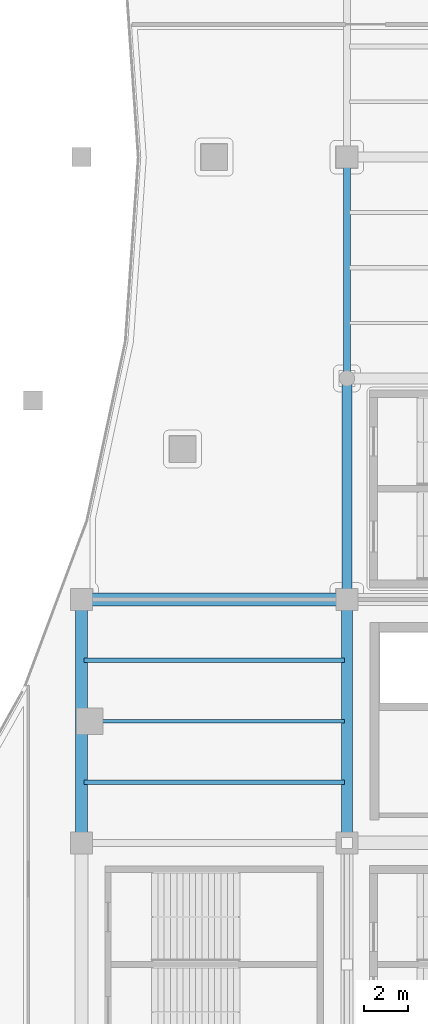
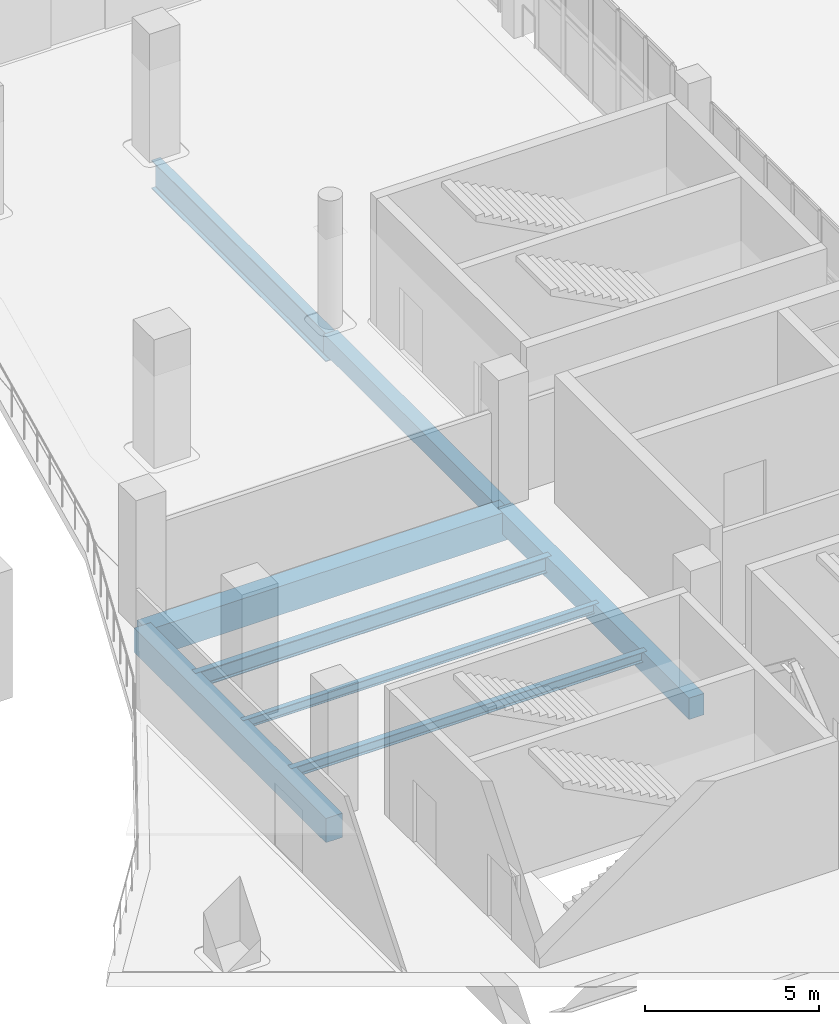
# One storey, part 51 of 108: 8 beams.
"""IFC4 building model written with IfcOpenShell, lengths in metres."""

from ifc_helpers import new_model, si_unit, direction, frame, origin, origin_2d, place, context, subcontext, project, spatial, rectangle, i_section, extrude, material, material_profile, profile_set, type_object, element, save


model = new_model("IFC4")

# Units and contexts
model_context = context("Model", 3, precision=1e-05, world=origin(), true_north=direction((0.0, 1.0)))
body_context = subcontext(model_context, "Body", "Model", "MODEL_VIEW")
ifc_project = project(units=[si_unit("LENGTHUNIT", "METRE"), si_unit("AREAUNIT", "SQUARE_METRE"), si_unit("VOLUMEUNIT", "CUBIC_METRE"), si_unit("PLANEANGLEUNIT", "RADIAN"), si_unit("MASSUNIT", "GRAM", prefix="KILO")], contexts=[model_context])

# Site, building, storey
site_placement = place(None, origin())
site = spatial("IfcSite", under=ifc_project, at=site_placement, CompositionType="ELEMENT")
building_placement = place(site_placement, origin())
building = spatial("IfcBuilding", under=site, at=building_placement, Name="Brinegate Civic Arena", CompositionType="ELEMENT")
storey_placement = place(building_placement, frame((0.0, 0.0, 10.199951171875)))
storey = spatial("IfcBuildingStorey", under=building, at=storey_placement, Name="L02", CompositionType="ELEMENT", Elevation=10.199951171875)

# Beams
ifc_material_1 = material(Name="Steel S355", Category="steel")
ifc_material_profile_1 = material_profile(ifc_material_1, i_section(OverallWidth=0.300048828125, OverallDepth=1.0, WebThickness=0.01904296875, FlangeThickness=0.031982421875, FilletRadius=0.02392578125, at=origin_2d()), Name="W1000X321")
ifc_profile_set_1 = profile_set([ifc_material_profile_1], Name="Steel S355")
beam_type_1 = type_object("IfcBeamType", Name="GIRDER-W1000X321", PredefinedType="BEAM", material=ifc_profile_set_1)
beam_1_placement = place(storey_placement, frame((156.0, 52.0, -0.829833984375), z_axis=(0.0, 1.0, 0.0), x_axis=(-1.0, 0.0, 0.0)))
element("IfcBeam", 1, at=beam_1_placement, inside=storey, type_object=beam_type_1, Name="Floor Girder BM-L02-GY-13-05", PredefinedType="BEAM", context=body_context, shape_type="SweptSolid", body=[
    extrude(i_section(OverallWidth=0.300048828125, OverallDepth=1.0, WebThickness=0.01904296875, FlangeThickness=0.031982421875, FilletRadius=0.02392578125, at=origin_2d()), origin(), (0.0, 0.0, 1.0), 10.0),
])
ifc_material_profile_2 = material_profile(ifc_material_1, i_section(OverallWidth=0.1669921875, OverallDepth=0.31689453125, WebThickness=0.008056640625, FlangeThickness=0.012939453125, FilletRadius=0.012939453125, at=origin_2d()), Name="W310X52")
ifc_profile_set_2 = profile_set([ifc_material_profile_2], Name="Steel S355")
beam_type_2 = type_object("IfcBeamType", Name="JOIST-W310X52", PredefinedType="JOIST", material=ifc_profile_set_2)
beam_2_placement = place(storey_placement, frame((144.10595703125, 36.5, -0.488037109375), z_axis=(1.0, 0.0, 0.0), x_axis=(0.0, 1.0, 0.0)))
element("IfcBeam", 2, at=beam_2_placement, inside=storey, type_object=beam_type_2, Name="Secondary Joist BM-L02-JX-12-03-2", PredefinedType="JOIST", context=body_context, shape_type="SweptSolid", body=[
    extrude(i_section(OverallWidth=0.1669921875, OverallDepth=0.31689453125, WebThickness=0.008056640625, FlangeThickness=0.012939453125, FilletRadius=0.012939453125, at=origin_2d()), origin(), (0.0, 0.0, 1.0), 11.7880859375),
])
ifc_material_profile_3 = material_profile(ifc_material_1, i_section(OverallWidth=0.202880859375, OverallDepth=0.346923828125, WebThickness=0.008056640625, FlangeThickness=0.013916015625, FilletRadius=0.013916015625, at=origin_2d()), Name="W360X64")
ifc_profile_set_3 = profile_set([ifc_material_profile_3], Name="Steel S355")
beam_type_3 = type_object("IfcBeamType", Name="JOIST-W360X64", PredefinedType="JOIST", material=ifc_profile_set_3)
beam_3_placement = place(storey_placement, frame((144.10595703125, 33.75, -0.5029296875), z_axis=(1.0, 0.0, 0.0), x_axis=(0.0, 1.0, 0.0)))
element("IfcBeam", 3, at=beam_3_placement, inside=storey, type_object=beam_type_3, Name="Secondary Joist BM-L02-JX-12-03-1", PredefinedType="JOIST", context=body_context, shape_type="SweptSolid", body=[
    extrude(i_section(OverallWidth=0.202880859375, OverallDepth=0.346923828125, WebThickness=0.008056640625, FlangeThickness=0.013916015625, FilletRadius=0.013916015625, at=origin_2d()), origin(), (0.0, 0.0, 1.0), 11.7880859375),
])
ifc_material_profile_4 = material_profile(ifc_material_1, i_section(OverallWidth=0.214111328125, OverallDepth=0.549072265625, WebThickness=0.014892578125, FlangeThickness=0.02392578125, FilletRadius=0.01611328125, at=origin_2d()), Name="W530X138")
ifc_profile_set_4 = profile_set([ifc_material_profile_4], Name="Steel S355")
beam_type_4 = type_object("IfcBeamType", Name="JOIST-W530X138", PredefinedType="JOIST", material=ifc_profile_set_4)
beam_4_placement = place(storey_placement, frame((144.10595703125, 39.25, -0.60400390625), z_axis=(1.0, 0.0, 0.0), x_axis=(0.0, 1.0, 0.0)))
element("IfcBeam", 4, at=beam_4_placement, inside=storey, type_object=beam_type_4, Name="Secondary Joist BM-L02-JX-12-03-3", PredefinedType="JOIST", context=body_context, shape_type="SweptSolid", body=[
    extrude(i_section(OverallWidth=0.214111328125, OverallDepth=0.549072265625, WebThickness=0.014892578125, FlangeThickness=0.02392578125, FilletRadius=0.01611328125, at=origin_2d()), origin(), (0.0, 0.0, 1.0), 11.7880859375),
])
ifc_material_2 = material(Name="Concrete C50/60", Category="concrete")
ifc_material_profile_5 = material_profile(ifc_material_2, rectangle(XDim=0.449951171875, YDim=0.64990234375, at=origin_2d()), Name="RCB450X650")
ifc_profile_set_5 = profile_set([ifc_material_profile_5], Name="Concrete C50/60")
beam_type_5 = type_object("IfcBeamType", Name="RCG-450X650", PredefinedType="BEAM", material=ifc_profile_set_5)
beam_5_placement = place(storey_placement, frame((156.0, 42.0, -0.655029296875), z_axis=(0.0, 1.0, 0.0), x_axis=(-1.0, 0.0, 0.0)))
element("IfcBeam", 5, at=beam_5_placement, inside=storey, type_object=beam_type_5, Name="Floor Girder BM-L02-GY-13-04", PredefinedType="BEAM", context=body_context, shape_type="SweptSolid", body=[
    extrude(rectangle(XDim=0.449951171875, YDim=0.64990234375, at=origin_2d()), origin(), (0.0, 0.0, 1.0), 10.0),
])
ifc_material_profile_6 = material_profile(ifc_material_2, rectangle(XDim=0.5, YDim=0.75, at=origin_2d()), Name="RCB500X750")
ifc_profile_set_6 = profile_set([ifc_material_profile_6], Name="Concrete C50/60")
beam_type_6 = type_object("IfcBeamType", Name="RCG-500X750", PredefinedType="BEAM", material=ifc_profile_set_6)
beam_6_placement = place(storey_placement, frame((156.0, 31.0, -0.704833984375), z_axis=(0.0, 1.0, 0.0), x_axis=(-1.0, 0.0, 0.0)))
element("IfcBeam", 6, at=beam_6_placement, inside=storey, type_object=beam_type_6, Name="Floor Girder BM-L02-GY-13-03", PredefinedType="BEAM", context=body_context, shape_type="SweptSolid", body=[
    extrude(rectangle(XDim=0.5, YDim=0.75, at=origin_2d()), origin(), (0.0, 0.0, 1.0), 11.0),
])
ifc_material_profile_7 = material_profile(ifc_material_2, rectangle(XDim=0.550048828125, YDim=0.85009765625, at=origin_2d()), Name="RCB550X850")
ifc_profile_set_7 = profile_set([ifc_material_profile_7], Name="Concrete C50/60")
beam_type_7 = type_object("IfcBeamType", Name="RCG-550X850", PredefinedType="BEAM", material=ifc_profile_set_7)
beam_7_placement = place(storey_placement, frame((144.0, 31.0, -0.7548828125), z_axis=(0.0, 1.0, 0.0), x_axis=(-1.0, 0.0, 0.0)))
element("IfcBeam", 7, at=beam_7_placement, inside=storey, type_object=beam_type_7, Name="Floor Girder BM-L02-GY-12-03", PredefinedType="BEAM", context=body_context, shape_type="SweptSolid", body=[
    extrude(rectangle(XDim=0.550048828125, YDim=0.85009765625, at=origin_2d()), origin(), (0.0, 0.0, 1.0), 11.0),
])
ifc_material_profile_8 = material_profile(ifc_material_2, rectangle(XDim=0.60009765625, YDim=1.0, at=origin_2d()), Name="RCB600X1000")
ifc_profile_set_8 = profile_set([ifc_material_profile_8], Name="Concrete C50/60")
beam_type_8 = type_object("IfcBeamType", Name="RCG-600X1000", PredefinedType="BEAM", material=ifc_profile_set_8)
beam_8_placement = place(storey_placement, frame((144.0, 42.0, -0.829833984375), z_axis=(1.0, 0.0, 0.0), x_axis=(0.0, 1.0, 0.0)))
element("IfcBeam", 8, at=beam_8_placement, inside=storey, type_object=beam_type_8, Name="Floor Girder BM-L02-GX-12-04", PredefinedType="BEAM", context=body_context, shape_type="SweptSolid", body=[
    extrude(rectangle(XDim=0.60009765625, YDim=1.0, at=origin_2d()), origin(), (0.0, 0.0, 1.0), 12.0),
])

save(model, "model.ifc")
